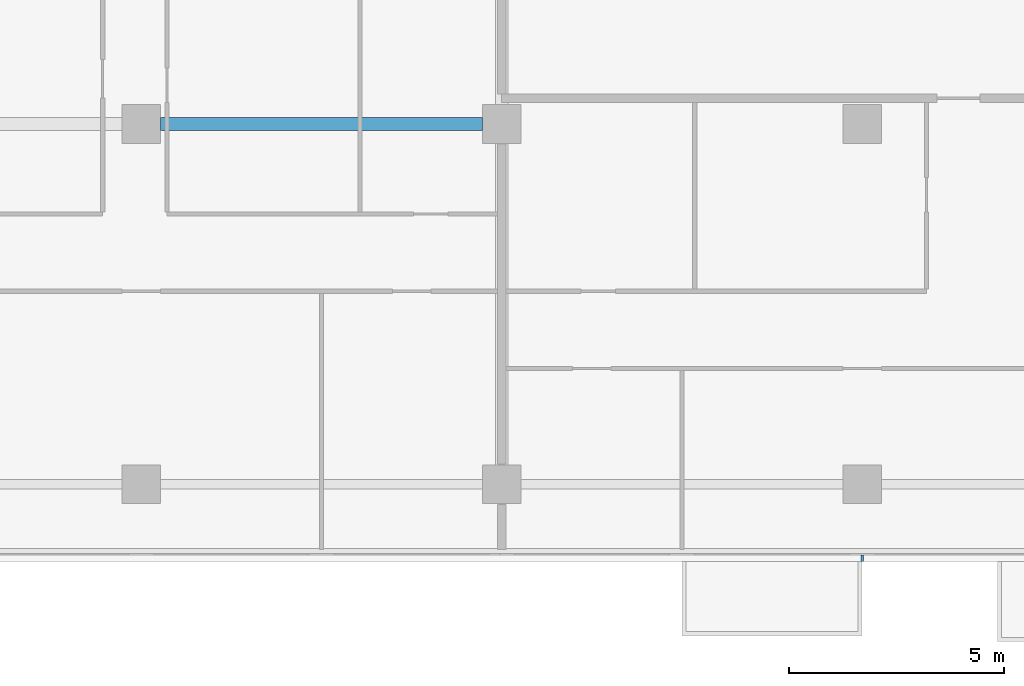
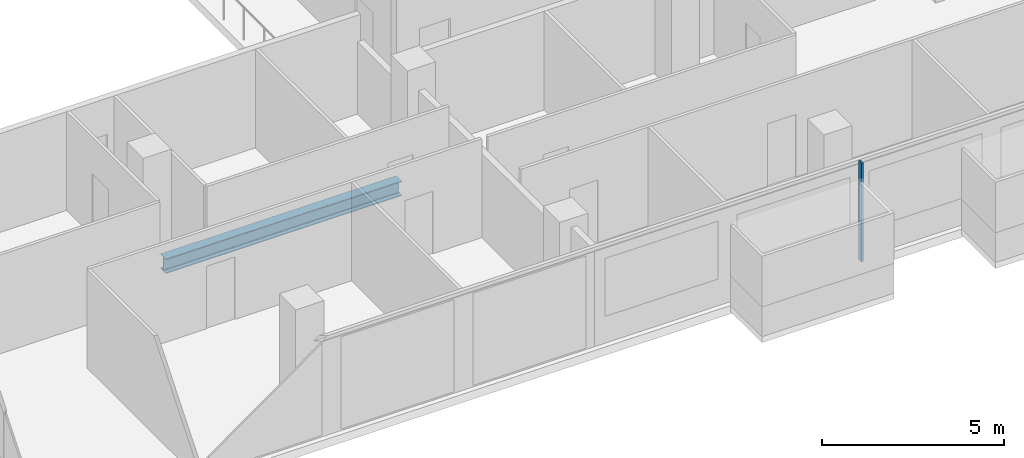
# One storey, part 6 of 28: 1 beam, 1 member, 1 element without a shape of its own.
"""IFC4 building model written with IfcOpenShell, lengths in metres."""

from ifc_helpers import new_model, si_unit, direction, frame, origin, origin_2d, place, context, subcontext, project, spatial, rectangle, i_section, extrude, material, material_profile, profile_set, type_object, element, aggregate, save


model = new_model("IFC4")

# Units and contexts
model_context = context("Model", 3, precision=1e-05, world=origin(), true_north=direction((0.0, 1.0)))
body_context = subcontext(model_context, "Body", "Model", "MODEL_VIEW")
ifc_project = project(units=[si_unit("LENGTHUNIT", "METRE"), si_unit("AREAUNIT", "SQUARE_METRE"), si_unit("VOLUMEUNIT", "CUBIC_METRE"), si_unit("PLANEANGLEUNIT", "RADIAN"), si_unit("MASSUNIT", "GRAM", prefix="KILO")], contexts=[model_context])

# Site, building, storey
site_placement = place(None, origin())
site = spatial("IfcSite", under=ifc_project, at=site_placement, CompositionType="ELEMENT")
building_placement = place(site_placement, origin())
building = spatial("IfcBuilding", under=site, at=building_placement, Name="Saffron Gate Tower", CompositionType="ELEMENT")
storey_placement = place(building_placement, frame((0.0, 0.0, 51.60009765625)))
storey = spatial("IfcBuildingStorey", under=building, at=storey_placement, Name="L11", CompositionType="ELEMENT", Elevation=51.60009765625)

# Beam
ifc_material_1 = material(Name="Structural steel S355", Category="steel")
ifc_material_profile_1 = material_profile(ifc_material_1, i_section(OverallWidth=0.300048828125, OverallDepth=0.489990234375, WebThickness=0.011962890625, FlangeThickness=0.02294921875, FilletRadius=0.027099609375, at=origin_2d()))
ifc_profile_set_1 = profile_set([ifc_material_profile_1], Name="Structural steel S355")
beam_type = type_object("IfcBeamType", Name="B8 HEA 500", PredefinedType="BEAM", material=ifc_profile_set_1)
beam_placement = place(storey_placement, frame((92.25, 40.199951171875, -0.525146484375), z_axis=(1.0, 0.0, 0.0), x_axis=(0.0, 1.0, 0.0)))
element("IfcBeam", 1, at=beam_placement, inside=storey, type_object=beam_type, Name="B8 FLOOR GIRDER", PredefinedType="BEAM", context=body_context, shape_type="SweptSolid", body=[
    extrude(i_section(OverallWidth=0.300048828125, OverallDepth=0.489990234375, WebThickness=0.011962890625, FlangeThickness=0.02294921875, FilletRadius=0.027099609375, at=origin_2d()), origin(), (0.0, 0.0, 1.0), 7.5),
])

# Curtain wall, member
ifc_material_2 = material(Name="Aluminium, bronze anodised", Category="aluminium")
curtain_wall_type = type_object("IfcCurtainWallType", Name="CWS1 curtain wall front facade", PredefinedType="NOTDEFINED", material=ifc_material_2)
curtain_wall_placement = place(storey_placement, origin())
curtain_wall = element("IfcCurtainWall", 2, at=curtain_wall_placement, inside=storey, type_object=curtain_wall_type, Name="CWS1 run 1", PredefinedType="NOTDEFINED")
ifc_material_profile_2 = material_profile(ifc_material_2, rectangle(XDim=0.159912109375, YDim=0.06005859375, at=origin_2d()))
ifc_profile_set_2 = profile_set([ifc_material_profile_2], Name="Aluminium, bronze anodised")
member_type = type_object("IfcMemberType", Name="CWS1 mullion 60x160", PredefinedType="MULLION", material=ifc_profile_set_2)
member_placement = place(storey_placement, frame((108.60009765625, 30.080078125, 0.0), z_axis=(0.0, 0.0, 1.0), x_axis=(0.0, 1.0, 0.0)))
member = element("IfcMember", 3, at=member_placement, type_object=member_type, Name="CWS1 mullion 8", PredefinedType="MULLION", context=body_context, shape_type="SweptSolid", body=[
    extrude(rectangle(XDim=0.159912109375, YDim=0.06005859375, at=origin_2d()), origin(), (0.0, 0.0, 1.0), 3.31982421875),
])
aggregate(curtain_wall, [member])

save(model, "model.ifc")
